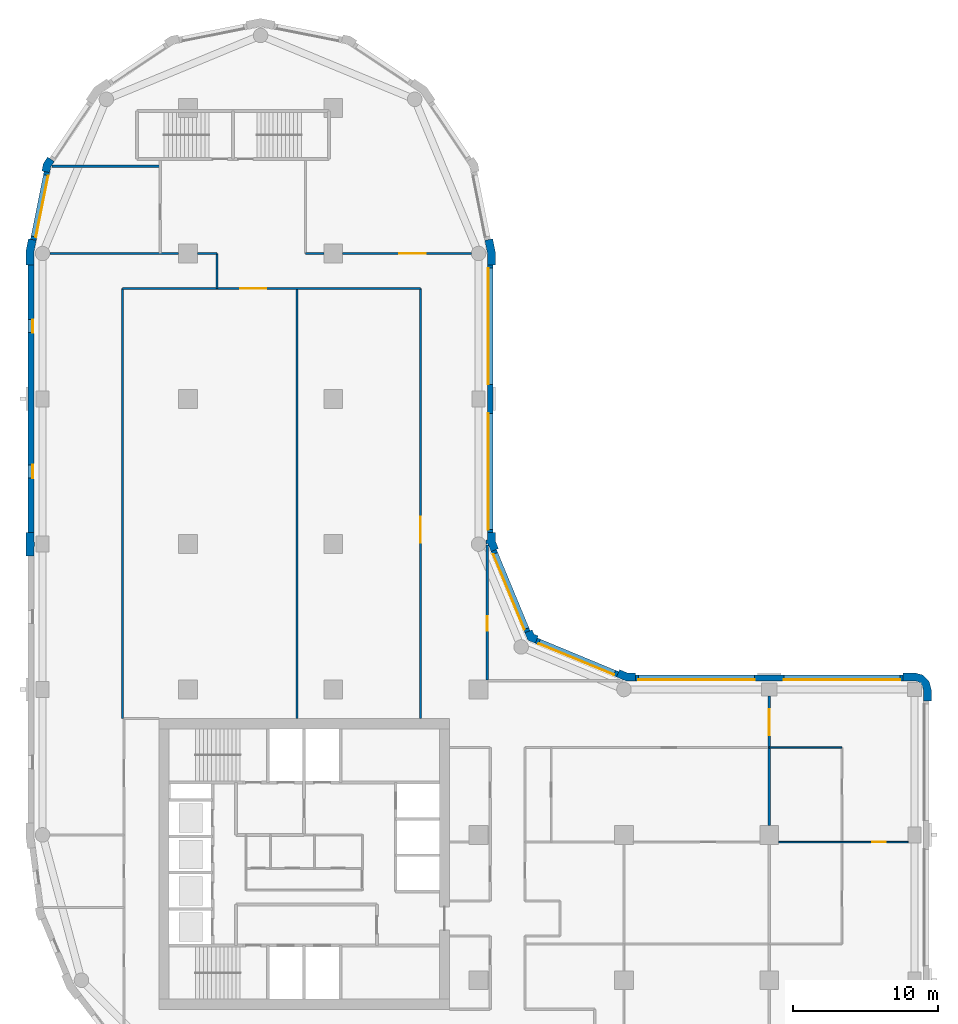
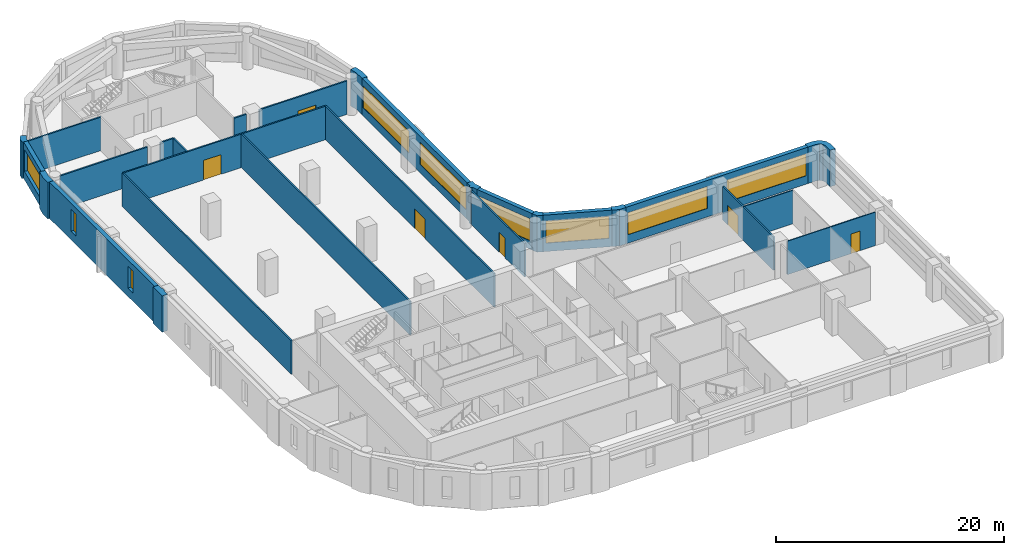
# One storey, part 5 of 9: 28 walls, 9 windows, 6 doors, 15 openings.
"""IFC4 building model written with IfcOpenShell, lengths in metres."""

from ifc_helpers import new_model, si_unit, direction, frame, frame_2d, origin, place, context, subcontext, project, spatial, polyline, rectangle, outline, extrude, material, layer, layer_set, type_object, element, fill, save


model = new_model("IFC4")

# Units and contexts
model_context = context("Model", 3, precision=1e-05, world=origin(), true_north=direction((0.0, 1.0)))
body_context = subcontext(model_context, "Body", "Model", "MODEL_VIEW")
ifc_project = project(units=[si_unit("LENGTHUNIT", "METRE"), si_unit("AREAUNIT", "SQUARE_METRE"), si_unit("VOLUMEUNIT", "CUBIC_METRE"), si_unit("PLANEANGLEUNIT", "RADIAN"), si_unit("MASSUNIT", "GRAM", prefix="KILO")], contexts=[model_context])

# Site, building, storey
site_placement = place(None, origin())
site = spatial("IfcSite", under=ifc_project, at=site_placement, CompositionType="ELEMENT")
building_placement = place(site_placement, origin())
building = spatial("IfcBuilding", under=site, at=building_placement, Name="Qaws Garden Tower", CompositionType="ELEMENT")
storey_placement = place(building_placement, frame((0.0, 0.0, 225.300048828125)))
storey = spatial("IfcBuildingStorey", under=building, at=storey_placement, Name="L55", CompositionType="ELEMENT", Elevation=225.300048828125)

# Wall
ifc_material_1 = material(Name="Clay facing brick masonry", Category="masonry")
ifc_layer_1 = layer(ifc_material_1, 0.550048828125)
ifc_layer_set_1 = layer_set([ifc_layer_1], Name="Clay facing brick masonry")
wall_type_1 = type_object("IfcWallType", Name="Brick corner pier 550 x 2400", PredefinedType="SOLIDWALL", material=ifc_layer_set_1)
placement = place(storey_placement, origin())
element("IfcWall", 1, at=placement, inside=storey, type_object=wall_type_1, Name="E-L55-pier-07", PredefinedType="SOLIDWALL", context=body_context, shape_type="SweptSolid", body=[
    extrude(outline(polyline([(61.0, 29.199951171875), (61.14990234375, 29.199951171875), (61.14990234375, 30.0), (60.995849609375, 30.574951171875), (60.574951171875, 30.995849609375), (60.0, 31.14990234375), (59.199951171875, 31.14990234375), (59.199951171875, 31.0), (59.199951171875, 30.60009765625), (60.0, 30.60009765625), (60.300048828125, 30.51953125), (60.51953125, 30.300048828125), (60.60009765625, 30.0), (60.60009765625, 29.199951171875), (61.0, 29.199951171875)])), origin(), (0.0, 0.0, 1.0), 3.89990234375),
])

# Wall, openings, windows
ifc_material_2 = material(Name="Clay facing brick masonry", Category="masonry")
ifc_layer_2 = layer(ifc_material_2, 0.39990234375)
ifc_layer_set_2 = layer_set([ifc_layer_2], Name="Clay facing brick masonry")
wall_type_2 = type_object("IfcWallType", Name="Brick infill wall 400", PredefinedType="SOLIDWALL", material=ifc_layer_set_2)
wall_2_placement = place(storey_placement, frame((59.199951171875, 30.800048828125, 0.0), z_axis=(0.0, 0.0, 1.0), x_axis=(-1.0, 0.0, 0.0)))
wall_2 = element("IfcWall", 2, at=wall_2_placement, inside=storey, type_object=wall_type_2, Name="E-L55-infill-07", PredefinedType="SOLIDWALL", context=body_context, shape_type="SweptSolid", body=[
    extrude(rectangle(XDim=18.39990234375, YDim=0.39990234375, at=frame_2d((9.199951171875, 0.0))), origin(), (0.0, 0.0, 1.0), 3.89990234375),
])
opening_1_placement = place(wall_2_placement, frame((0.199951171875, 0.0, 0.89990234375)))
opening_1 = element("IfcOpeningElement", 3, at=opening_1_placement, cuts=wall_2, Name="Opening W01", PredefinedType="OPENING", context=body_context, shape_type="SweptSolid", body=[
    extrude(rectangle(XDim=8.0, YDim=2.35009765625, at=frame_2d((4.0, 1.175048828125))), frame((0.0, 0.2099609375, 0.0), z_axis=(0.0, -1.0, 0.0), x_axis=(1.0, 0.0, 0.0)), (0.0, 0.0, 1.0), 0.419921875),
])
opening_2_placement = place(wall_2_placement, frame((10.199951171875, 0.0, 0.89990234375)))
opening_2 = element("IfcOpeningElement", 4, at=opening_2_placement, cuts=wall_2, Name="Opening W01", PredefinedType="OPENING", context=body_context, shape_type="SweptSolid", body=[
    extrude(rectangle(XDim=8.0, YDim=2.35009765625, at=frame_2d((4.0, 1.175048828125))), frame((0.0, 0.2099609375, 0.0), z_axis=(0.0, -1.0, 0.0), x_axis=(1.0, 0.0, 0.0)), (0.0, 0.0, 1.0), 0.419921875),
])
ifc_material_3 = material(Name="Aluminium framed window, clear glazing", Category="aluminium")
window_type_1 = type_object("IfcWindowType", Name="Ribbon window 8000 x 2350", PartitioningType="DOUBLE_PANEL_VERTICAL", PredefinedType="WINDOW", material=ifc_material_3)
window_1_placement = place(opening_1_placement, origin())
window_1 = element("IfcWindow", 5, at=window_1_placement, inside=storey, type_object=window_type_1, Name="E-L55-window-07-0", OverallHeight=2.35009765625, OverallWidth=8.0, PartitioningType="SINGLE_PANEL", PredefinedType="WINDOW", context=body_context, shape_type="SweptSolid", body=[
    extrude(rectangle(XDim=8.0, YDim=2.35009765625, at=frame_2d((4.0, 1.175048828125))), frame((0.0, 0.159912109375, 0.0), z_axis=(0.0, -1.0, 0.0), x_axis=(1.0, 0.0, 0.0)), (0.0, 0.0, 1.0), 0.06005859375),
])
fill(opening_1, window_1)
window_2_placement = place(opening_2_placement, origin())
window_2 = element("IfcWindow", 6, at=window_2_placement, inside=storey, type_object=window_type_1, Name="E-L55-window-08-0", OverallHeight=2.35009765625, OverallWidth=8.0, PartitioningType="SINGLE_PANEL", PredefinedType="WINDOW", context=body_context, shape_type="SweptSolid", body=[
    extrude(rectangle(XDim=8.0, YDim=2.35009765625, at=frame_2d((4.0, 1.175048828125))), frame((0.0, 0.159912109375, 0.0), z_axis=(0.0, -1.0, 0.0), x_axis=(1.0, 0.0, 0.0)), (0.0, 0.0, 1.0), 0.06005859375),
])
fill(opening_2, window_2)

# Wall, opening, window
wall_3_placement = place(storey_placement, frame((39.56689453125, 31.04541015625, 0.0), z_axis=(0.0, 0.0, 1.0), x_axis=(-0.923891000409, 0.382655745237, 0.0)))
wall_3 = element("IfcWall", 7, at=wall_3_placement, inside=storey, type_object=wall_type_2, Name="E-L55-infill-09", PredefinedType="SOLIDWALL", context=body_context, shape_type="SweptSolid", body=[
    extrude(rectangle(XDim=6.053466796875, YDim=0.39990234375, at=frame_2d((3.02685546875, 0.0))), origin(), (0.0, 0.0, 1.0), 3.89990234375),
])
opening_3_placement = place(wall_3_placement, frame((0.226806640625, 0.0, 0.89990234375)))
opening_3 = element("IfcOpeningElement", 8, at=opening_3_placement, cuts=wall_3, Name="Opening W04", PredefinedType="OPENING", context=body_context, shape_type="SweptSolid", body=[
    extrude(rectangle(XDim=5.60009765625, YDim=2.35009765625, at=frame_2d((2.800048828125, 1.175048828125))), frame((0.0, 0.2099609375, 0.0), z_axis=(0.0, -1.0, 0.0), x_axis=(1.0, 0.0, 0.0)), (0.0, 0.0, 1.0), 0.419921875),
])
ifc_material_4 = material(Name="Aluminium framed window, clear glazing", Category="aluminium")
window_type_2 = type_object("IfcWindowType", Name="Ribbon window 5600 x 2350", PartitioningType="DOUBLE_PANEL_VERTICAL", PredefinedType="WINDOW", material=ifc_material_4)
window_3_placement = place(opening_3_placement, origin())
window_3 = element("IfcWindow", 9, at=window_3_placement, inside=storey, type_object=window_type_2, Name="E-L55-window-09-0", OverallHeight=2.35009765625, OverallWidth=5.60009765625, PartitioningType="SINGLE_PANEL", PredefinedType="WINDOW", context=body_context, shape_type="SweptSolid", body=[
    extrude(rectangle(XDim=5.60009765625, YDim=2.35009765625, at=frame_2d((2.800048828125, 1.175048828125))), frame((0.0, 0.159912109375, 0.0), z_axis=(0.0, -1.0, 0.0), x_axis=(1.0, 0.0, 0.0)), (0.0, 0.0, 1.0), 0.06005859375),
])
fill(opening_3, window_3)

wall_4_placement = place(storey_placement, frame((33.36181640625, 33.97412109375, 0.0), z_axis=(0.0, 0.0, 1.0), x_axis=(-0.382655745237, 0.923891000409, 0.0)))
wall_4 = element("IfcWall", 10, at=wall_4_placement, inside=storey, type_object=wall_type_2, Name="E-L55-infill-10", PredefinedType="SOLIDWALL", context=body_context, shape_type="SweptSolid", body=[
    extrude(rectangle(XDim=6.053466796875, YDim=0.39990234375, at=frame_2d((3.02685546875, 0.0))), origin(), (0.0, 0.0, 1.0), 3.89990234375),
])
opening_4_placement = place(wall_4_placement, frame((0.226806640625, 0.0, 0.89990234375)))
opening_4 = element("IfcOpeningElement", 11, at=opening_4_placement, cuts=wall_4, Name="Opening W04", PredefinedType="OPENING", context=body_context, shape_type="SweptSolid", body=[
    extrude(rectangle(XDim=5.60009765625, YDim=2.35009765625, at=frame_2d((2.800048828125, 1.175048828125))), frame((0.0, 0.2099609375, 0.0), z_axis=(0.0, -1.0, 0.0), x_axis=(1.0, 0.0, 0.0)), (0.0, 0.0, 1.0), 0.419921875),
])
window_4_placement = place(opening_4_placement, origin())
window_4 = element("IfcWindow", 12, at=window_4_placement, inside=storey, type_object=window_type_2, Name="E-L55-window-10-0", OverallHeight=2.35009765625, OverallWidth=5.60009765625, PartitioningType="SINGLE_PANEL", PredefinedType="WINDOW", context=body_context, shape_type="SweptSolid", body=[
    extrude(rectangle(XDim=5.60009765625, YDim=2.35009765625, at=frame_2d((2.800048828125, 1.175048828125))), frame((0.0, 0.159912109375, 0.0), z_axis=(0.0, -1.0, 0.0), x_axis=(1.0, 0.0, 0.0)), (0.0, 0.0, 1.0), 0.06005859375),
])
fill(opening_4, window_4)

# Wall, openings, windows
wall_5_placement = place(storey_placement, frame((30.800048828125, 40.800048828125, 0.0), z_axis=(0.0, 0.0, 1.0), x_axis=(0.0, 1.0, 0.0)))
wall_5 = element("IfcWall", 13, at=wall_5_placement, inside=storey, type_object=wall_type_2, Name="E-L55-infill-11", PredefinedType="SOLIDWALL", context=body_context, shape_type="SweptSolid", body=[
    extrude(rectangle(XDim=18.39990234375, YDim=0.39990234375, at=frame_2d((9.199951171875, 0.0))), origin(), (0.0, 0.0, 1.0), 3.89990234375),
])
opening_5_placement = place(wall_5_placement, frame((0.199951171875, 0.0, 0.89990234375)))
opening_5 = element("IfcOpeningElement", 14, at=opening_5_placement, cuts=wall_5, Name="Opening W01", PredefinedType="OPENING", context=body_context, shape_type="SweptSolid", body=[
    extrude(rectangle(XDim=8.0, YDim=2.35009765625, at=frame_2d((4.0, 1.175048828125))), frame((0.0, 0.2099609375, 0.0), z_axis=(0.0, -1.0, 0.0), x_axis=(1.0, 0.0, 0.0)), (0.0, 0.0, 1.0), 0.419921875),
])
opening_6_placement = place(wall_5_placement, frame((10.199951171875, 0.0, 0.89990234375)))
opening_6 = element("IfcOpeningElement", 15, at=opening_6_placement, cuts=wall_5, Name="Opening W01", PredefinedType="OPENING", context=body_context, shape_type="SweptSolid", body=[
    extrude(rectangle(XDim=8.0, YDim=2.35009765625, at=frame_2d((4.0, 1.175048828125))), frame((0.0, 0.2099609375, 0.0), z_axis=(0.0, -1.0, 0.0), x_axis=(1.0, 0.0, 0.0)), (0.0, 0.0, 1.0), 0.419921875),
])
window_5_placement = place(opening_5_placement, origin())
window_5 = element("IfcWindow", 16, at=window_5_placement, inside=storey, type_object=window_type_1, Name="E-L55-window-11-0", OverallHeight=2.35009765625, OverallWidth=8.0, PartitioningType="SINGLE_PANEL", PredefinedType="WINDOW", context=body_context, shape_type="SweptSolid", body=[
    extrude(rectangle(XDim=8.0, YDim=2.35009765625, at=frame_2d((4.0, 1.175048828125))), frame((0.0, 0.159912109375, 0.0), z_axis=(0.0, -1.0, 0.0), x_axis=(1.0, 0.0, 0.0)), (0.0, 0.0, 1.0), 0.06005859375),
])
fill(opening_5, window_5)
window_6_placement = place(opening_6_placement, origin())
window_6 = element("IfcWindow", 17, at=window_6_placement, inside=storey, type_object=window_type_1, Name="E-L55-window-12-0", OverallHeight=2.35009765625, OverallWidth=8.0, PartitioningType="SINGLE_PANEL", PredefinedType="WINDOW", context=body_context, shape_type="SweptSolid", body=[
    extrude(rectangle(XDim=8.0, YDim=2.35009765625, at=frame_2d((4.0, 1.175048828125))), frame((0.0, 0.159912109375, 0.0), z_axis=(0.0, -1.0, 0.0), x_axis=(1.0, 0.0, 0.0)), (0.0, 0.0, 1.0), 0.06005859375),
])
fill(opening_6, window_6)

# Wall, opening, window
wall_6_placement = place(storey_placement, frame((0.298583984375, 65.60205078125, 0.0), z_axis=(0.0, 0.0, 1.0), x_axis=(-0.195098533057, -0.98078364709, 0.0)))
wall_6 = element("IfcWall", 18, at=wall_6_placement, inside=storey, type_object=wall_type_2, Name="E-L55-infill-20", PredefinedType="SOLIDWALL", context=body_context, shape_type="SweptSolid", body=[
    extrude(rectangle(XDim=4.752685546875, YDim=0.39990234375, at=frame_2d((2.37646484375, 0.0))), origin(), (0.0, 0.0, 1.0), 3.89990234375),
])
opening_7_placement = place(wall_6_placement, frame((0.226318359375, 0.0, 0.89990234375)))
opening_7 = element("IfcOpeningElement", 19, at=opening_7_placement, cuts=wall_6, Name="Opening W06", PredefinedType="OPENING", context=body_context, shape_type="SweptSolid", body=[
    extrude(rectangle(XDim=4.300048828125, YDim=2.35009765625, at=frame_2d((2.14990234375, 1.175048828125))), frame((0.0, 0.2099609375, 0.0), z_axis=(0.0, -1.0, 0.0), x_axis=(1.0, 0.0, 0.0)), (0.0, 0.0, 1.0), 0.419921875),
])
ifc_material_5 = material(Name="Aluminium framed window, clear glazing", Category="aluminium")
window_type_3 = type_object("IfcWindowType", Name="Ribbon window 4300 x 2350", PartitioningType="DOUBLE_PANEL_VERTICAL", PredefinedType="WINDOW", material=ifc_material_5)
window_7_placement = place(opening_7_placement, origin())
window_7 = element("IfcWindow", 20, at=window_7_placement, inside=storey, type_object=window_type_3, Name="E-L55-window-20-0", OverallHeight=2.35009765625, OverallWidth=4.300048828125, PartitioningType="SINGLE_PANEL", PredefinedType="WINDOW", context=body_context, shape_type="SweptSolid", body=[
    extrude(rectangle(XDim=4.300048828125, YDim=2.35009765625, at=frame_2d((2.14990234375, 1.175048828125))), frame((0.0, 0.159912109375, 0.0), z_axis=(0.0, -1.0, 0.0), x_axis=(1.0, 0.0, 0.0)), (0.0, 0.0, 1.0), 0.06005859375),
])
fill(opening_7, window_7)

# Wall, openings, windows
wall_7_placement = place(storey_placement, frame((-0.800048828125, 59.199951171875, 0.0), z_axis=(0.0, 0.0, 1.0), x_axis=(0.0, -1.0, 0.0)))
wall_7 = element("IfcWall", 21, at=wall_7_placement, inside=storey, type_object=wall_type_2, Name="E-L55-infill-21", PredefinedType="SOLIDWALL", context=body_context, shape_type="SweptSolid", body=[
    extrude(rectangle(XDim=18.39990234375, YDim=0.39990234375, at=frame_2d((9.199951171875, 0.0))), origin(), (0.0, 0.0, 1.0), 3.89990234375),
])
opening_8_placement = place(wall_7_placement, frame((3.75, 0.0, 0.89990234375)))
opening_8 = element("IfcOpeningElement", 22, at=opening_8_placement, cuts=wall_7, Name="Opening W09", PredefinedType="OPENING", context=body_context, shape_type="SweptSolid", body=[
    extrude(rectangle(XDim=0.89990234375, YDim=2.35009765625, at=frame_2d((0.449951171875, 1.175048828125))), frame((0.0, 0.2099609375, 0.0), z_axis=(0.0, -1.0, 0.0), x_axis=(1.0, 0.0, 0.0)), (0.0, 0.0, 1.0), 0.419921875),
])
opening_9_placement = place(wall_7_placement, frame((13.75, 0.0, 0.89990234375)))
opening_9 = element("IfcOpeningElement", 23, at=opening_9_placement, cuts=wall_7, Name="Opening W09", PredefinedType="OPENING", context=body_context, shape_type="SweptSolid", body=[
    extrude(rectangle(XDim=0.89990234375, YDim=2.35009765625, at=frame_2d((0.449951171875, 1.175048828125))), frame((0.0, 0.2099609375, 0.0), z_axis=(0.0, -1.0, 0.0), x_axis=(1.0, 0.0, 0.0)), (0.0, 0.0, 1.0), 0.419921875),
])
ifc_material_6 = material(Name="Aluminium framed window, clear glazing", Category="aluminium")
window_type_4 = type_object("IfcWindowType", Name="Slit window 900 x 2350", PartitioningType="SINGLE_PANEL", PredefinedType="WINDOW", material=ifc_material_6)
window_8_placement = place(opening_8_placement, origin())
window_8 = element("IfcWindow", 24, at=window_8_placement, inside=storey, type_object=window_type_4, Name="E-L55-window-21-0", OverallHeight=2.35009765625, OverallWidth=0.89990234375, PartitioningType="SINGLE_PANEL", PredefinedType="WINDOW", context=body_context, shape_type="SweptSolid", body=[
    extrude(rectangle(XDim=0.89990234375, YDim=2.35009765625, at=frame_2d((0.449951171875, 1.175048828125))), frame((0.0, 0.159912109375, 0.0), z_axis=(0.0, -1.0, 0.0), x_axis=(1.0, 0.0, 0.0)), (0.0, 0.0, 1.0), 0.06005859375),
])
fill(opening_8, window_8)
window_9_placement = place(opening_9_placement, origin())
window_9 = element("IfcWindow", 25, at=window_9_placement, inside=storey, type_object=window_type_4, Name="E-L55-window-22-0", OverallHeight=2.35009765625, OverallWidth=0.89990234375, PartitioningType="SINGLE_PANEL", PredefinedType="WINDOW", context=body_context, shape_type="SweptSolid", body=[
    extrude(rectangle(XDim=0.89990234375, YDim=2.35009765625, at=frame_2d((0.449951171875, 1.175048828125))), frame((0.0, 0.159912109375, 0.0), z_axis=(0.0, -1.0, 0.0), x_axis=(1.0, 0.0, 0.0)), (0.0, 0.0, 1.0), 0.06005859375),
])
fill(opening_9, window_9)

# Walls
ifc_material_7 = material(Name="Clay facing brick masonry", Category="masonry")
ifc_layer_3 = layer(ifc_material_7, 0.550048828125)
ifc_layer_set_3 = layer_set([ifc_layer_3], Name="Clay facing brick masonry")
wall_type_3 = type_object("IfcWallType", Name="Brick kink pier 550 x 600", PredefinedType="SOLIDWALL", material=ifc_layer_set_3)
element("IfcWall", 26, at=placement, inside=storey, type_object=wall_type_3, Name="E-L55-pier-20", PredefinedType="SOLIDWALL", context=body_context, shape_type="SweptSolid", body=[
    extrude(outline(polyline([(0.47705078125, 66.545166015625), (0.352294921875, 66.628662109375), (0.05859375, 66.18896484375), (-0.044677734375, 65.67041015625), (0.1025390625, 65.64111328125), (0.494873046875, 65.56298828125), (0.57666015625, 65.974365234375), (0.8095703125, 66.322998046875), (0.47705078125, 66.545166015625)])), origin(), (0.0, 0.0, 1.0), 3.89990234375),
])
ifc_material_8 = material(Name="Clay facing brick masonry", Category="masonry")
ifc_layer_4 = layer(ifc_material_8, 0.550048828125)
ifc_layer_set_4 = layer_set([ifc_layer_4], Name="Clay facing brick masonry")
wall_type_4 = type_object("IfcWallType", Name="Brick pier 550 x 1600", PredefinedType="SOLIDWALL", material=ifc_layer_set_4)
element("IfcWall", 27, at=placement, inside=storey, type_object=wall_type_4, Name="E-L55-pier-09", PredefinedType="SOLIDWALL", context=body_context, shape_type="SweptSolid", body=[
    extrude(outline(polyline([(40.800048828125, 31.0), (40.800048828125, 31.14990234375), (40.228759765625, 31.14990234375), (39.700927734375, 31.36865234375), (39.6435546875, 31.22998046875), (39.490478515625, 30.860595703125), (40.119384765625, 30.60009765625), (40.800048828125, 30.60009765625), (40.800048828125, 31.0)])), origin(), (0.0, 0.0, 1.0), 3.89990234375),
])
element("IfcWall", 28, at=placement, inside=storey, type_object=wall_type_4, Name="E-L55-pier-10", PredefinedType="SOLIDWALL", context=body_context, shape_type="SweptSolid", body=[
    extrude(outline(polyline([(34.05078125, 33.546630859375), (34.108154296875, 33.685302734375), (33.80908203125, 33.80908203125), (33.685302734375, 34.108154296875), (33.546630859375, 34.05078125), (33.177001953125, 33.897705078125), (33.38818359375, 33.38818359375), (33.897705078125, 33.177001953125), (34.05078125, 33.546630859375)])), origin(), (0.0, 0.0, 1.0), 3.89990234375),
])
element("IfcWall", 29, at=placement, inside=storey, type_object=wall_type_4, Name="E-L55-pier-11", PredefinedType="SOLIDWALL", context=body_context, shape_type="SweptSolid", body=[
    extrude(outline(polyline([(30.6201171875, 39.995361328125), (30.6201171875, 40.071044921875), (30.860595703125, 39.490478515625), (31.22998046875, 39.6435546875), (31.36865234375, 39.700927734375), (31.14990234375, 40.228759765625), (31.14990234375, 40.800048828125), (31.0, 40.800048828125), (30.60009765625, 40.800048828125), (30.60009765625, 40.29541015625), (30.5, 40.29541015625), (30.5, 39.995361328125), (30.6201171875, 39.995361328125)])), origin(), (0.0, 0.0, 1.0), 3.89990234375),
])
element("IfcWall", 30, at=placement, inside=storey, type_object=wall_type_4, Name="E-L55-pier-13", PredefinedType="SOLIDWALL", context=body_context, shape_type="SweptSolid", body=[
    extrude(outline(polyline([(31.0, 59.199951171875), (31.14990234375, 59.199951171875), (31.14990234375, 60.11328125), (30.971923828125, 61.009033203125), (30.82470703125, 60.979736328125), (30.432373046875, 60.901611328125), (30.60009765625, 60.05908203125), (30.60009765625, 59.199951171875), (31.0, 59.199951171875)])), origin(), (0.0, 0.0, 1.0), 3.89990234375),
])
element("IfcWall", 31, at=placement, inside=storey, type_object=wall_type_4, Name="E-L55-pier-21", PredefinedType="SOLIDWALL", context=body_context, shape_type="SweptSolid", body=[
    extrude(outline(polyline([(-0.82470703125, 60.979736328125), (-0.971923828125, 61.009033203125), (-1.14990234375, 60.11328125), (-1.14990234375, 59.199951171875), (-1.0, 59.199951171875), (-0.60009765625, 59.199951171875), (-0.60009765625, 60.05908203125), (-0.432373046875, 60.901611328125), (-0.82470703125, 60.979736328125)])), origin(), (0.0, 0.0, 1.0), 3.89990234375),
])
element("IfcWall", 32, at=placement, inside=storey, type_object=wall_type_4, Name="E-L55-pier-23", PredefinedType="SOLIDWALL", context=body_context, shape_type="SweptSolid", body=[
    extrude(outline(polyline([(-0.60009765625, 39.199951171875), (-0.60009765625, 39.85009765625), (-0.550048828125, 39.85009765625), (-0.550048828125, 40.14990234375), (-0.60009765625, 40.14990234375), (-0.60009765625, 40.800048828125), (-1.0, 40.800048828125), (-1.14990234375, 40.800048828125), (-1.14990234375, 40.0), (-1.14990234375, 39.199951171875), (-1.0, 39.199951171875), (-0.60009765625, 39.199951171875)])), origin(), (0.0, 0.0, 1.0), 3.89990234375),
])

# Wall, opening, door
ifc_material_9 = material(Name="Gypsum board partition")
ifc_layer_5 = layer(ifc_material_9, 0.10009765625)
ifc_layer_set_5 = layer_set([ifc_layer_5], Name="Gypsum board partition")
wall_type_5 = type_object("IfcWallType", Name="PARTITION 100", PredefinedType="PARTITIONING", material=ifc_layer_set_5)
wall_15_placement = place(storey_placement, frame((50.64990234375, 19.5, 0.0), z_axis=(0.0, 0.0, 1.0), x_axis=(1.0, 0.0, 0.0)))
wall_15 = element("IfcWall", 33, at=wall_15_placement, inside=storey, type_object=wall_type_5, Name="O-L55-wall-007", PredefinedType="PARTITIONING", context=body_context, shape_type="SweptSolid", body=[
    extrude(rectangle(XDim=8.900146484375, YDim=0.10009765625, at=frame_2d((4.4501953125, 0.0))), origin(), (0.0, 0.0, 1.0), 3.579833984375),
])
opening_10_placement = place(wall_15_placement, frame((6.449951171875, 0.0, 0.0)))
opening_10 = element("IfcOpeningElement", 34, at=opening_10_placement, cuts=wall_15, Name="Opening B920", PredefinedType="OPENING", context=body_context, shape_type="SweptSolid", body=[
    extrude(rectangle(XDim=0.89990234375, YDim=2.10009765625, at=frame_2d((0.449951171875, 1.050048828125))), frame((0.0, 0.06005859375, 0.0), z_axis=(0.0, -1.0, 0.0), x_axis=(1.0, 0.0, 0.0)), (0.0, 0.0, 1.0), 0.1201171875),
])
ifc_material_10 = material(Name="Timber door leaf", Category="wood")
door_type_1 = type_object("IfcDoorType", Name="OFFICE DOOR 900 X 2100", OperationType="SINGLE_SWING_LEFT", PredefinedType="DOOR", material=ifc_material_10)
door_1_placement = place(opening_10_placement, origin())
door_1 = element("IfcDoor", 35, at=door_1_placement, inside=storey, type_object=door_type_1, Name="O-L55-door-020", OperationType="SINGLE_SWING_LEFT", OverallHeight=2.10009765625, OverallWidth=0.89990234375, PredefinedType="DOOR", context=body_context, shape_type="SweptSolid", body=[
    extrude(rectangle(XDim=0.89990234375, YDim=2.10009765625, at=frame_2d((0.449951171875, 1.050048828125))), frame((0.0, 0.02490234375, 0.0), z_axis=(0.0, -1.0, 0.0), x_axis=(1.0, 0.0, 0.0)), (0.0, 0.0, 1.0), 0.050048828125),
])
fill(opening_10, door_1)

# Walls
wall_16_placement = place(storey_placement, frame((50.0, 26.0, 0.0), z_axis=(0.0, 0.0, 1.0), x_axis=(1.0, 0.0, 0.0)))
element("IfcWall", 36, at=wall_16_placement, inside=storey, type_object=wall_type_5, Name="O-L55-wall-008", PredefinedType="PARTITIONING", context=body_context, shape_type="SweptSolid", body=[
    extrude(rectangle(XDim=5.0, YDim=0.10009765625, at=frame_2d((2.5, 0.0))), origin(), (0.0, 0.0, 1.0), 3.579833984375),
])
ifc_material_11 = material(Name="Gypsum board partition")
ifc_layer_6 = layer(ifc_material_11, 0.14990234375)
ifc_layer_set_6 = layer_set([ifc_layer_6], Name="Gypsum board partition")
wall_type_6 = type_object("IfcWallType", Name="PARTITION 150 EI 60", PredefinedType="PARTITIONING", material=ifc_layer_set_6)
wall_17_placement = place(storey_placement, frame((5.5, 28.0, 0.0), z_axis=(0.0, 0.0, 1.0), x_axis=(0.0, 1.0, 0.0)))
element("IfcWall", 37, at=wall_17_placement, inside=storey, type_object=wall_type_6, Name="O-L55-wall-009", PredefinedType="PARTITIONING", context=body_context, shape_type="SweptSolid", body=[
    extrude(rectangle(XDim=29.60009765625, YDim=0.14990234375, at=frame_2d((14.800048828125, 0.0))), origin(), (0.0, 0.0, 1.0), 3.579833984375),
])
wall_18_placement = place(storey_placement, frame((12.0, 57.60009765625, 0.0), z_axis=(0.0, 0.0, 1.0), x_axis=(0.0, 1.0, 0.0)))
element("IfcWall", 38, at=wall_18_placement, inside=storey, type_object=wall_type_6, Name="O-L55-wall-012", PredefinedType="PARTITIONING", context=body_context, shape_type="SweptSolid", body=[
    extrude(rectangle(XDim=2.39990234375, YDim=0.14990234375, at=frame_2d((1.199951171875, 0.0))), origin(), (0.0, 0.0, 1.0), 3.579833984375),
])
wall_19_placement = place(storey_placement, frame((17.5, 28.0, 0.0), z_axis=(0.0, 0.0, 1.0), x_axis=(0.0, 1.0, 0.0)))
element("IfcWall", 39, at=wall_19_placement, inside=storey, type_object=wall_type_6, Name="O-L55-wall-014", PredefinedType="PARTITIONING", context=body_context, shape_type="SweptSolid", body=[
    extrude(rectangle(XDim=29.60009765625, YDim=0.14990234375, at=frame_2d((14.800048828125, 0.0))), origin(), (0.0, 0.0, 1.0), 3.579833984375),
])

# Wall, opening, door
wall_20_placement = place(storey_placement, frame((26.0, 28.0, 0.0), z_axis=(0.0, 0.0, 1.0), x_axis=(0.0, 1.0, 0.0)))
wall_20 = element("IfcWall", 40, at=wall_20_placement, inside=storey, type_object=wall_type_6, Name="O-L55-wall-017", PredefinedType="PARTITIONING", context=body_context, shape_type="SweptSolid", body=[
    extrude(rectangle(XDim=29.60009765625, YDim=0.14990234375, at=frame_2d((14.800048828125, 0.0))), origin(), (0.0, 0.0, 1.0), 3.579833984375),
])
opening_11_placement = place(wall_20_placement, frame((12.10009765625, 0.0, 0.0)))
opening_11 = element("IfcOpeningElement", 41, at=opening_11_placement, cuts=wall_20, Name="Opening B905", PredefinedType="OPENING", context=body_context, shape_type="SweptSolid", body=[
    extrude(rectangle(XDim=1.800048828125, YDim=2.10009765625, at=frame_2d((0.89990234375, 1.050048828125))), frame((0.0, 0.0849609375, 0.0), z_axis=(0.0, -1.0, 0.0), x_axis=(1.0, 0.0, 0.0)), (0.0, 0.0, 1.0), 0.169921875),
])
ifc_material_12 = material(Name="Timber door leaf", Category="wood")
door_type_2 = type_object("IfcDoorType", Name="DOUBLE DOOR 1800 X 2100", OperationType="DOUBLE_DOOR_SINGLE_SWING", PredefinedType="DOOR", material=ifc_material_12)
door_2_placement = place(opening_11_placement, origin())
door_2 = element("IfcDoor", 42, at=door_2_placement, inside=storey, type_object=door_type_2, Name="O-L55-door-005", OperationType="DOUBLE_DOOR_SINGLE_SWING", OverallHeight=2.10009765625, OverallWidth=1.800048828125, PredefinedType="DOOR", context=body_context, shape_type="SweptSolid", body=[
    extrude(rectangle(XDim=1.800048828125, YDim=2.10009765625, at=frame_2d((0.89990234375, 1.050048828125))), frame((0.0, 0.02490234375, 0.0), z_axis=(0.0, -1.0, 0.0), x_axis=(1.0, 0.0, 0.0)), (0.0, 0.0, 1.0), 0.050048828125),
])
fill(opening_11, door_2)

wall_21_placement = place(storey_placement, frame((30.60009765625, 30.64990234375, 0.0), z_axis=(0.0, 0.0, 1.0), x_axis=(0.0, 1.0, 0.0)))
wall_21 = element("IfcWall", 43, at=wall_21_placement, inside=storey, type_object=wall_type_6, Name="O-L55-wall-018", PredefinedType="PARTITIONING", context=body_context, shape_type="SweptSolid", body=[
    extrude(rectangle(XDim=9.288330078125, YDim=0.14990234375, at=frame_2d((4.64404296875, 0.0))), origin(), (0.0, 0.0, 1.0), 3.579833984375),
])
opening_12_placement = place(wall_21_placement, frame((3.39990234375, 0.0, 0.0)))
opening_12 = element("IfcOpeningElement", 44, at=opening_12_placement, cuts=wall_21, Name="Opening B912", PredefinedType="OPENING", context=body_context, shape_type="SweptSolid", body=[
    extrude(rectangle(XDim=1.0, YDim=2.10009765625, at=frame_2d((0.5, 1.050048828125))), frame((0.0, 0.0849609375, 0.0), z_axis=(0.0, -1.0, 0.0), x_axis=(1.0, 0.0, 0.0)), (0.0, 0.0, 1.0), 0.169921875),
])
ifc_material_13 = material(Name="Timber door leaf", Category="wood")
door_type_3 = type_object("IfcDoorType", Name="TENANCY ENTRANCE DOOR 1000 X 2100", OperationType="SINGLE_SWING_LEFT", PredefinedType="DOOR", material=ifc_material_13)
door_3_placement = place(opening_12_placement, frame((1.0, 0.0, 0.0), z_axis=(0.0, 0.0, 1.0), x_axis=(-1.0, 0.0, 0.0)))
door_3 = element("IfcDoor", 45, at=door_3_placement, inside=storey, type_object=door_type_3, Name="O-L55-door-012", OperationType="SINGLE_SWING_LEFT", OverallHeight=2.10009765625, OverallWidth=1.0, PredefinedType="DOOR", context=body_context, shape_type="SweptSolid", body=[
    extrude(rectangle(XDim=1.0, YDim=2.10009765625, at=frame_2d((0.5, 1.050048828125))), frame((0.0, 0.02490234375, 0.0), z_axis=(0.0, -1.0, 0.0), x_axis=(1.0, 0.0, 0.0)), (0.0, 0.0, 1.0), 0.050048828125),
])
fill(opening_12, door_3)

wall_22_placement = place(storey_placement, frame((50.0, 20.64990234375, 0.0), z_axis=(0.0, 0.0, 1.0), x_axis=(0.0, 1.0, 0.0)))
wall_22 = element("IfcWall", 46, at=wall_22_placement, inside=storey, type_object=wall_type_6, Name="O-L55-wall-029", PredefinedType="PARTITIONING", context=body_context, shape_type="SweptSolid", body=[
    extrude(rectangle(XDim=8.900146484375, YDim=0.14990234375, at=frame_2d((4.4501953125, 0.0))), origin(), (0.0, 0.0, 1.0), 3.579833984375),
])
opening_13_placement = place(wall_22_placement, frame((6.199951171875, 0.0, 0.0)))
opening_13 = element("IfcOpeningElement", 47, at=opening_13_placement, cuts=wall_22, Name="Opening B911", PredefinedType="OPENING", context=body_context, shape_type="SweptSolid", body=[
    extrude(rectangle(XDim=1.800048828125, YDim=2.10009765625, at=frame_2d((0.89990234375, 1.050048828125))), frame((0.0, 0.0849609375, 0.0), z_axis=(0.0, -1.0, 0.0), x_axis=(1.0, 0.0, 0.0)), (0.0, 0.0, 1.0), 0.169921875),
])
door_4_placement = place(opening_13_placement, frame((1.800048828125, 0.0, 0.0), z_axis=(0.0, 0.0, 1.0), x_axis=(-1.0, 0.0, 0.0)))
door_4 = element("IfcDoor", 48, at=door_4_placement, inside=storey, type_object=door_type_2, Name="O-L55-door-011", OperationType="DOUBLE_DOOR_SINGLE_SWING", OverallHeight=2.10009765625, OverallWidth=1.800048828125, PredefinedType="DOOR", context=body_context, shape_type="SweptSolid", body=[
    extrude(rectangle(XDim=1.800048828125, YDim=2.10009765625, at=frame_2d((0.89990234375, 1.050048828125))), frame((0.0, 0.02490234375, 0.0), z_axis=(0.0, -1.0, 0.0), x_axis=(1.0, 0.0, 0.0)), (0.0, 0.0, 1.0), 0.050048828125),
])
fill(opening_13, door_4)

wall_23_placement = place(storey_placement, frame((5.5, 57.60009765625, 0.0), z_axis=(0.0, 0.0, 1.0), x_axis=(1.0, 0.0, 0.0)))
wall_23 = element("IfcWall", 49, at=wall_23_placement, inside=storey, type_object=wall_type_6, Name="O-L55-wall-046", PredefinedType="PARTITIONING", context=body_context, shape_type="SweptSolid", body=[
    extrude(rectangle(XDim=20.5, YDim=0.14990234375, at=frame_2d((10.25, 0.0))), origin(), (0.0, 0.0, 1.0), 3.579833984375),
])
opening_14_placement = place(wall_23_placement, frame((8.10009765625, 0.0, 0.0)))
opening_14 = element("IfcOpeningElement", 50, at=opening_14_placement, cuts=wall_23, Name="Opening B906", PredefinedType="OPENING", context=body_context, shape_type="SweptSolid", body=[
    extrude(rectangle(XDim=1.800048828125, YDim=2.10009765625, at=frame_2d((0.89990234375, 1.050048828125))), frame((0.0, 0.0849609375, 0.0), z_axis=(0.0, -1.0, 0.0), x_axis=(1.0, 0.0, 0.0)), (0.0, 0.0, 1.0), 0.169921875),
])
door_5_placement = place(opening_14_placement, frame((1.800048828125, 0.0, 0.0), z_axis=(0.0, 0.0, 1.0), x_axis=(-1.0, 0.0, 0.0)))
door_5 = element("IfcDoor", 51, at=door_5_placement, inside=storey, type_object=door_type_2, Name="O-L55-door-006", OperationType="DOUBLE_DOOR_SINGLE_SWING", OverallHeight=2.10009765625, OverallWidth=1.800048828125, PredefinedType="DOOR", context=body_context, shape_type="SweptSolid", body=[
    extrude(rectangle(XDim=1.800048828125, YDim=2.10009765625, at=frame_2d((0.89990234375, 1.050048828125))), frame((0.0, 0.02490234375, 0.0), z_axis=(0.0, -1.0, 0.0), x_axis=(1.0, 0.0, 0.0)), (0.0, 0.0, 1.0), 0.050048828125),
])
fill(opening_14, door_5)

# Walls
wall_24_placement = place(storey_placement, frame((0.5, 60.0, 0.0), z_axis=(0.0, 0.0, 1.0), x_axis=(1.0, 0.0, 0.0)))
element("IfcWall", 52, at=wall_24_placement, inside=storey, type_object=wall_type_6, Name="O-L55-wall-047", PredefinedType="PARTITIONING", context=body_context, shape_type="SweptSolid", body=[
    extrude(rectangle(XDim=8.85009765625, YDim=0.14990234375, at=frame_2d((4.425048828125, 0.0))), origin(), (0.0, 0.0, 1.0), 3.579833984375),
])
wall_25_placement = place(storey_placement, frame((10.64990234375, 60.0, 0.0), z_axis=(0.0, 0.0, 1.0), x_axis=(1.0, 0.0, 0.0)))
element("IfcWall", 53, at=wall_25_placement, inside=storey, type_object=wall_type_6, Name="O-L55-wall-048", PredefinedType="PARTITIONING", context=body_context, shape_type="SweptSolid", body=[
    extrude(rectangle(XDim=1.35009765625, YDim=0.14990234375, at=frame_2d((0.675048828125, 0.0))), origin(), (0.0, 0.0, 1.0), 3.579833984375),
])
wall_26_placement = place(storey_placement, frame((18.10009765625, 60.0, 0.0), z_axis=(0.0, 0.0, 1.0), x_axis=(1.0, 0.0, 0.0)))
element("IfcWall", 54, at=wall_26_placement, inside=storey, type_object=wall_type_6, Name="O-L55-wall-049", PredefinedType="PARTITIONING", context=body_context, shape_type="SweptSolid", body=[
    extrude(rectangle(XDim=1.25, YDim=0.14990234375, at=frame_2d((0.625, 0.0))), origin(), (0.0, 0.0, 1.0), 3.579833984375),
])

# Wall, opening, door
wall_27_placement = place(storey_placement, frame((20.64990234375, 60.0, 0.0), z_axis=(0.0, 0.0, 1.0), x_axis=(1.0, 0.0, 0.0)))
wall_27 = element("IfcWall", 55, at=wall_27_placement, inside=storey, type_object=wall_type_6, Name="O-L55-wall-050", PredefinedType="PARTITIONING", context=body_context, shape_type="SweptSolid", body=[
    extrude(rectangle(XDim=8.85009765625, YDim=0.14990234375, at=frame_2d((4.425048828125, 0.0))), origin(), (0.0, 0.0, 1.0), 3.579833984375),
])
opening_15_placement = place(wall_27_placement, frame((3.89990234375, 0.0, 0.0)))
opening_15 = element("IfcOpeningElement", 56, at=opening_15_placement, cuts=wall_27, Name="Opening B910", PredefinedType="OPENING", context=body_context, shape_type="SweptSolid", body=[
    extrude(rectangle(XDim=1.800048828125, YDim=2.10009765625, at=frame_2d((0.89990234375, 1.050048828125))), frame((0.0, 0.0849609375, 0.0), z_axis=(0.0, -1.0, 0.0), x_axis=(1.0, 0.0, 0.0)), (0.0, 0.0, 1.0), 0.169921875),
])
door_6_placement = place(opening_15_placement, origin())
door_6 = element("IfcDoor", 57, at=door_6_placement, inside=storey, type_object=door_type_2, Name="O-L55-door-010", OperationType="DOUBLE_DOOR_SINGLE_SWING", OverallHeight=2.10009765625, OverallWidth=1.800048828125, PredefinedType="DOOR", context=body_context, shape_type="SweptSolid", body=[
    extrude(rectangle(XDim=1.800048828125, YDim=2.10009765625, at=frame_2d((0.89990234375, 1.050048828125))), frame((0.0, 0.02490234375, 0.0), z_axis=(0.0, -1.0, 0.0), x_axis=(1.0, 0.0, 0.0)), (0.0, 0.0, 1.0), 0.050048828125),
])
fill(opening_15, door_6)

# Wall
wall_28_placement = place(storey_placement, frame((0.643798828125, 66.0, 0.0), z_axis=(0.0, 0.0, 1.0), x_axis=(1.0, 0.0, 0.0)))
element("IfcWall", 58, at=wall_28_placement, inside=storey, type_object=wall_type_6, Name="O-L55-wall-051", PredefinedType="PARTITIONING", context=body_context, shape_type="SweptSolid", body=[
    extrude(rectangle(XDim=7.456298828125, YDim=0.14990234375, at=frame_2d((3.72802734375, 0.0))), origin(), (0.0, 0.0, 1.0), 3.579833984375),
])

save(model, "model.ifc")
